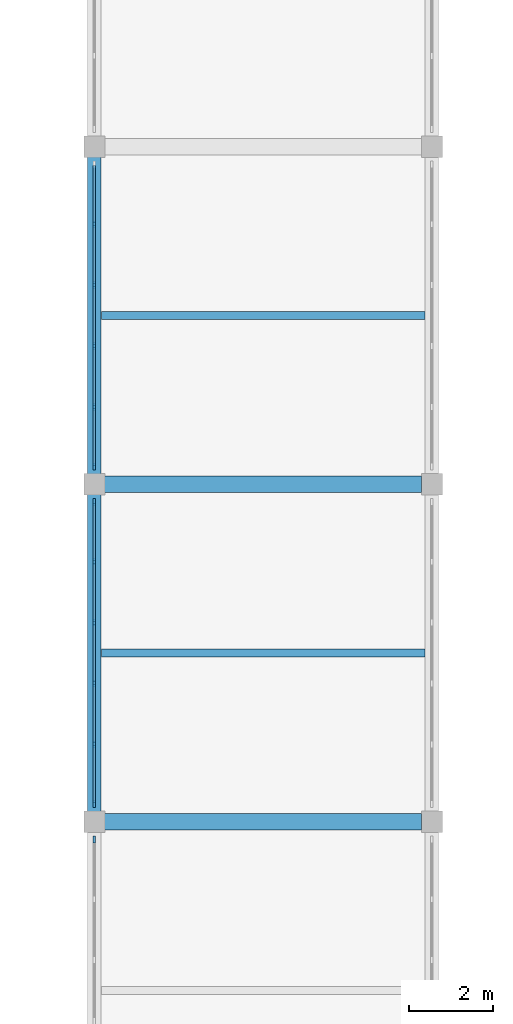
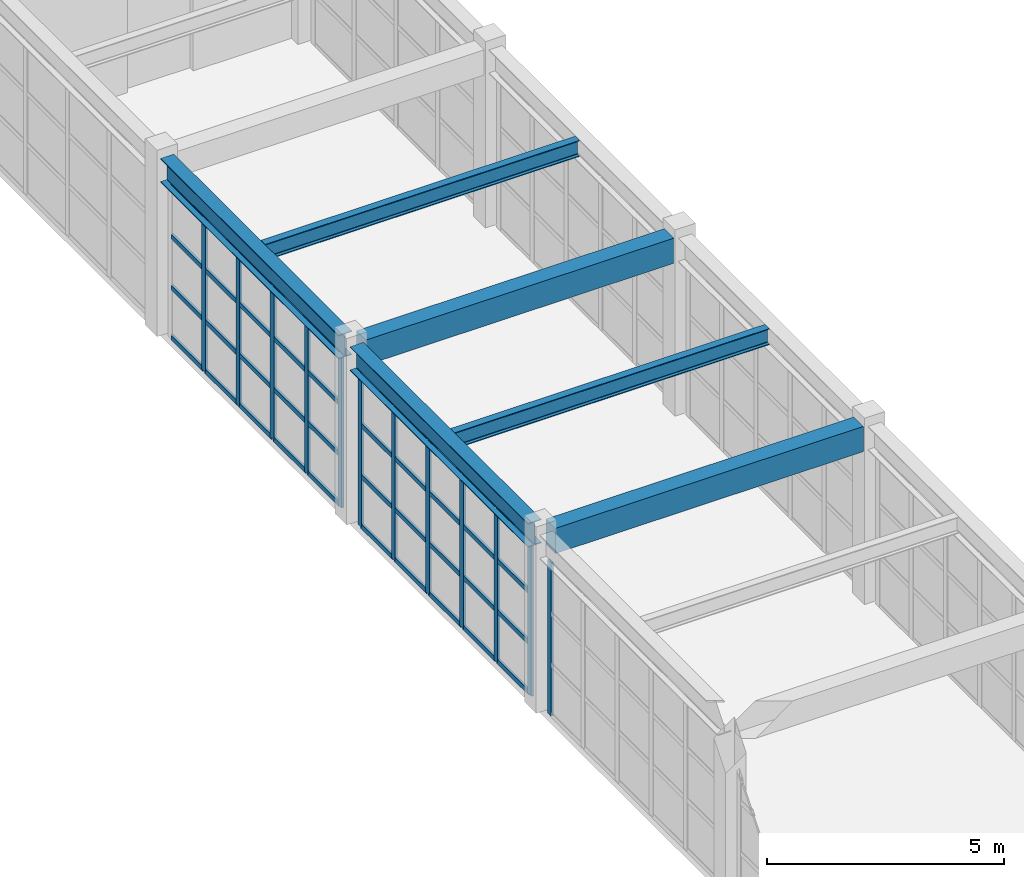
# One storey, part 13 of 59: 52 members, 6 beams, 3 elements without a shape of their own.
"""IFC4 building model written with IfcOpenShell, lengths in metres."""

from ifc_helpers import new_model, si_unit, direction, frame, origin, origin_2d, place, context, subcontext, project, spatial, rectangle, i_section, extrude, material, material_profile, profile_set, type_object, element, aggregate, save


model = new_model("IFC4")

# Units and contexts
model_context = context("Model", 3, precision=1e-05, world=origin(), true_north=direction((0.0, 1.0)))
body_context = subcontext(model_context, "Body", "Model", "MODEL_VIEW")
ifc_project = project(units=[si_unit("LENGTHUNIT", "METRE"), si_unit("AREAUNIT", "SQUARE_METRE"), si_unit("VOLUMEUNIT", "CUBIC_METRE"), si_unit("PLANEANGLEUNIT", "RADIAN"), si_unit("MASSUNIT", "GRAM", prefix="KILO")], contexts=[model_context])

# Site, building, storey
site_placement = place(None, origin())
site = spatial("IfcSite", under=ifc_project, at=site_placement, CompositionType="ELEMENT")
building_placement = place(site_placement, origin())
building = spatial("IfcBuilding", under=site, at=building_placement, Name="Serraluz Foothill Cableway Terminal", CompositionType="ELEMENT")
storey_placement = place(building_placement, frame((0.0, 0.0, 4.800048828125)))
storey = spatial("IfcBuildingStorey", under=building, at=storey_placement, Name="L01", CompositionType="ELEMENT", Elevation=4.800048828125)

# Beams
ifc_material_1 = material(Name="Concrete C28/35 (f'c 28 MPa)", Category="concrete")
ifc_material_profile_1 = material_profile(ifc_material_1, rectangle(XDim=0.39990234375, YDim=0.64990234375, at=origin_2d()), Name="RC 400x650")
ifc_profile_set_1 = profile_set([ifc_material_profile_1], Name="Concrete C28/35 (f'c 28 MPa)")
beam_type_1 = type_object("IfcBeamType", Name="TYP-BM-RC400X650", PredefinedType="BEAM", material=ifc_profile_set_1)
for number, where, z_axis, x_axis, name in (
    (1, (120.24609375, 32.0, 4.23486328125), (1.0, 0.0, 0.0), (0.0, 1.0, 0.0), "Primary Girder BM-X-L01-0194"),
    (2, (120.24609375, 40.0, 4.23486328125), (1.0, 0.0, 0.0), (0.0, 1.0, 0.0), "Primary Girder BM-X-L01-0195"),
):
    element("IfcBeam", number, at=place(storey_placement, frame(where, z_axis=z_axis, x_axis=x_axis)), inside=storey, type_object=beam_type_1, Name=name, PredefinedType="BEAM", context=body_context, shape_type="SweptSolid", body=[
        extrude(rectangle(XDim=0.39990234375, YDim=0.64990234375, at=origin_2d()), origin(), (0.0, 0.0, 1.0), 7.5078125),
    ])
ifc_material_2 = material(Name="Steel ASTM A992 Grade 50", Category="steel")
ifc_material_profile_2 = material_profile(ifc_material_2, i_section(OverallWidth=0.324951171875, OverallDepth=0.615966796875, WebThickness=0.013916015625, FlangeThickness=0.021484375, FilletRadius=0.01806640625, at=origin_2d()), Name="W24X117")
ifc_profile_set_2 = profile_set([ifc_material_profile_2], Name="Steel ASTM A992 Grade 50")
beam_type_2 = type_object("IfcBeamType", Name="TYP-BM-W24X117", PredefinedType="BEAM", material=ifc_profile_set_2)
for number, where, z_axis, x_axis, name in (
    (3, (120.0, 32.24609375, 4.251953125), (0.0, 1.0, 0.0), (-1.0, 0.0, 0.0), "Transverse Girder BM-Y-L01-0277"),
    (4, (120.0, 40.24609375, 4.251953125), (0.0, 1.0, 0.0), (-1.0, 0.0, 0.0), "Transverse Girder BM-Y-L01-0278"),
):
    element("IfcBeam", number, at=place(storey_placement, frame(where, z_axis=z_axis, x_axis=x_axis)), inside=storey, type_object=beam_type_2, Name=name, PredefinedType="BEAM", context=body_context, shape_type="SweptSolid", body=[
        extrude(i_section(OverallWidth=0.324951171875, OverallDepth=0.615966796875, WebThickness=0.013916015625, FlangeThickness=0.021484375, FilletRadius=0.01806640625, at=origin_2d()), origin(), (0.0, 0.0, 1.0), 7.5078125),
    ])

# Curtain wall, member
ifc_material_3 = material(Name="Architectural bronze alloy C28000", Category="aluminium")
curtain_wall_type = type_object("IfcCurtainWallType", Name="TYP-CW-710X420", PredefinedType="NOTDEFINED", material=ifc_material_3)
curtain_wall_1_placement = place(storey_placement, origin())
curtain_wall_1 = element("IfcCurtainWall", 5, at=curtain_wall_1_placement, inside=storey, type_object=curtain_wall_type, Name="Ribbed Glazed Curtain Wall CW-CLW-L01-24", PredefinedType="NOTDEFINED")
ifc_material_profile_3 = material_profile(ifc_material_3, rectangle(XDim=0.06005859375, YDim=0.159912109375, at=origin_2d()), Name="ALU MULLION 60x160")
ifc_profile_set_3 = profile_set([ifc_material_profile_3], Name="Architectural bronze alloy C28000")
member_type_1 = type_object("IfcMemberType", Name="TYP-CW-MUL-60X160", PredefinedType="MULLION", material=ifc_profile_set_3)
member_1_placement = place(storey_placement, frame((120.0, 31.580078125, 0.0), z_axis=(0.0, 0.0, 1.0), x_axis=(-1.0, 0.0, 0.0)))
member_1 = element("IfcMember", 6, at=member_1_placement, type_object=member_type_1, Name="CW-01 mullion 6", PredefinedType="MULLION", context=body_context, shape_type="SweptSolid", body=[
    extrude(rectangle(XDim=0.06005859375, YDim=0.159912109375, at=origin_2d()), origin(), (0.0, 0.0, 1.0), 3.94384765625),
])
aggregate(curtain_wall_1, [member_1])

# Curtain wall, members
curtain_wall_2_placement = place(storey_placement, origin())
curtain_wall_2 = element("IfcCurtainWall", 7, at=curtain_wall_2_placement, inside=storey, type_object=curtain_wall_type, Name="Ribbed Glazed Curtain Wall CW-CLW-L01-32", PredefinedType="NOTDEFINED")
member_2_placement = place(storey_placement, frame((120.0, 32.419921875, 0.0), z_axis=(0.0, 0.0, 1.0), x_axis=(-1.0, 0.0, 0.0)))
member_2 = element("IfcMember", 8, at=member_2_placement, type_object=member_type_1, Name="CW-01 mullion 1", PredefinedType="MULLION", context=body_context, shape_type="SweptSolid", body=[
    extrude(rectangle(XDim=0.06005859375, YDim=0.159912109375, at=origin_2d()), origin(), (0.0, 0.0, 1.0), 3.94384765625),
])
member_3_placement = place(storey_placement, frame((120.0, 33.833984375, 0.0), z_axis=(0.0, 0.0, 1.0), x_axis=(-1.0, 0.0, 0.0)))
member_3 = element("IfcMember", 9, at=member_3_placement, type_object=member_type_1, Name="CW-01 mullion 2", PredefinedType="MULLION", context=body_context, shape_type="SweptSolid", body=[
    extrude(rectangle(XDim=0.06005859375, YDim=0.159912109375, at=origin_2d()), origin(), (0.0, 0.0, 1.0), 3.94384765625),
])
member_4_placement = place(storey_placement, frame((120.0, 35.278076171875, 0.0), z_axis=(0.0, 0.0, 1.0), x_axis=(-1.0, 0.0, 0.0)))
member_4 = element("IfcMember", 10, at=member_4_placement, type_object=member_type_1, Name="CW-01 mullion 3", PredefinedType="MULLION", context=body_context, shape_type="SweptSolid", body=[
    extrude(rectangle(XDim=0.06005859375, YDim=0.159912109375, at=origin_2d()), origin(), (0.0, 0.0, 1.0), 3.94384765625),
])
member_5_placement = place(storey_placement, frame((120.0, 36.721923828125, 0.0), z_axis=(0.0, 0.0, 1.0), x_axis=(-1.0, 0.0, 0.0)))
member_5 = element("IfcMember", 11, at=member_5_placement, type_object=member_type_1, Name="CW-01 mullion 4", PredefinedType="MULLION", context=body_context, shape_type="SweptSolid", body=[
    extrude(rectangle(XDim=0.06005859375, YDim=0.159912109375, at=origin_2d()), origin(), (0.0, 0.0, 1.0), 3.94384765625),
])
member_6_placement = place(storey_placement, frame((120.0, 38.166015625, 0.0), z_axis=(0.0, 0.0, 1.0), x_axis=(-1.0, 0.0, 0.0)))
member_6 = element("IfcMember", 12, at=member_6_placement, type_object=member_type_1, Name="CW-01 mullion 5", PredefinedType="MULLION", context=body_context, shape_type="SweptSolid", body=[
    extrude(rectangle(XDim=0.06005859375, YDim=0.159912109375, at=origin_2d()), origin(), (0.0, 0.0, 1.0), 3.94384765625),
])
member_7_placement = place(storey_placement, frame((120.0, 39.580078125, 0.0), z_axis=(0.0, 0.0, 1.0), x_axis=(-1.0, 0.0, 0.0)))
member_7 = element("IfcMember", 13, at=member_7_placement, type_object=member_type_1, Name="CW-01 mullion 6", PredefinedType="MULLION", context=body_context, shape_type="SweptSolid", body=[
    extrude(rectangle(XDim=0.06005859375, YDim=0.159912109375, at=origin_2d()), origin(), (0.0, 0.0, 1.0), 3.94384765625),
])

curtain_wall_3_placement = place(storey_placement, origin())
curtain_wall_3 = element("IfcCurtainWall", 14, at=curtain_wall_3_placement, inside=storey, type_object=curtain_wall_type, Name="Ribbed Glazed Curtain Wall CW-CLW-L01-40", PredefinedType="NOTDEFINED")
member_8_placement = place(storey_placement, frame((120.0, 40.419921875, 0.0), z_axis=(0.0, 0.0, 1.0), x_axis=(-1.0, 0.0, 0.0)))
member_8 = element("IfcMember", 15, at=member_8_placement, type_object=member_type_1, Name="CW-01 mullion 1", PredefinedType="MULLION", context=body_context, shape_type="SweptSolid", body=[
    extrude(rectangle(XDim=0.06005859375, YDim=0.159912109375, at=origin_2d()), origin(), (0.0, 0.0, 1.0), 3.94384765625),
])
member_9_placement = place(storey_placement, frame((120.0, 41.833984375, 0.0), z_axis=(0.0, 0.0, 1.0), x_axis=(-1.0, 0.0, 0.0)))
member_9 = element("IfcMember", 16, at=member_9_placement, type_object=member_type_1, Name="CW-01 mullion 2", PredefinedType="MULLION", context=body_context, shape_type="SweptSolid", body=[
    extrude(rectangle(XDim=0.06005859375, YDim=0.159912109375, at=origin_2d()), origin(), (0.0, 0.0, 1.0), 3.94384765625),
])
member_10_placement = place(storey_placement, frame((120.0, 43.278076171875, 0.0), z_axis=(0.0, 0.0, 1.0), x_axis=(-1.0, 0.0, 0.0)))
member_10 = element("IfcMember", 17, at=member_10_placement, type_object=member_type_1, Name="CW-01 mullion 3", PredefinedType="MULLION", context=body_context, shape_type="SweptSolid", body=[
    extrude(rectangle(XDim=0.06005859375, YDim=0.159912109375, at=origin_2d()), origin(), (0.0, 0.0, 1.0), 3.94384765625),
])
member_11_placement = place(storey_placement, frame((120.0, 44.721923828125, 0.0), z_axis=(0.0, 0.0, 1.0), x_axis=(-1.0, 0.0, 0.0)))
member_11 = element("IfcMember", 18, at=member_11_placement, type_object=member_type_1, Name="CW-01 mullion 4", PredefinedType="MULLION", context=body_context, shape_type="SweptSolid", body=[
    extrude(rectangle(XDim=0.06005859375, YDim=0.159912109375, at=origin_2d()), origin(), (0.0, 0.0, 1.0), 3.94384765625),
])
member_12_placement = place(storey_placement, frame((120.0, 46.166015625, 0.0), z_axis=(0.0, 0.0, 1.0), x_axis=(-1.0, 0.0, 0.0)))
member_12 = element("IfcMember", 19, at=member_12_placement, type_object=member_type_1, Name="CW-01 mullion 5", PredefinedType="MULLION", context=body_context, shape_type="SweptSolid", body=[
    extrude(rectangle(XDim=0.06005859375, YDim=0.159912109375, at=origin_2d()), origin(), (0.0, 0.0, 1.0), 3.94384765625),
])

# Member
ifc_material_profile_4 = material_profile(ifc_material_3, rectangle(XDim=0.06005859375, YDim=0.1201171875, at=origin_2d()), Name="ALU TRANSOM 60x120")
ifc_profile_set_4 = profile_set([ifc_material_profile_4], Name="Architectural bronze alloy C28000")
member_type_2 = type_object("IfcMemberType", Name="TYP-CW-TRN-60X120", PredefinedType="USERDEFINED", material=ifc_profile_set_4)
member_13_placement = place(storey_placement, frame((120.0, 32.449951171875, 0.030029296875), z_axis=(0.0, 1.0, 0.0), x_axis=(-1.0, 0.0, 0.0)))
member_13 = element("IfcMember", 20, at=member_13_placement, type_object=member_type_2, Name="CW-01 transom 1.1", ObjectType="TRANSOM", PredefinedType="USERDEFINED", context=body_context, shape_type="SweptSolid", body=[
    extrude(rectangle(XDim=0.06005859375, YDim=0.1201171875, at=origin_2d()), origin(), (0.0, 0.0, 1.0), 1.35400390625),
])

member_14_placement = place(storey_placement, frame((120.0, 32.449951171875, 1.314697265625), z_axis=(0.0, 1.0, 0.0), x_axis=(-1.0, 0.0, 0.0)))
member_14 = element("IfcMember", 21, at=member_14_placement, type_object=member_type_2, Name="CW-01 transom 1.2", ObjectType="TRANSOM", PredefinedType="USERDEFINED", context=body_context, shape_type="SweptSolid", body=[
    extrude(rectangle(XDim=0.06005859375, YDim=0.1201171875, at=origin_2d()), origin(), (0.0, 0.0, 1.0), 1.35400390625),
])

member_15_placement = place(storey_placement, frame((120.0, 32.449951171875, 2.629150390625), z_axis=(0.0, 1.0, 0.0), x_axis=(-1.0, 0.0, 0.0)))
member_15 = element("IfcMember", 22, at=member_15_placement, type_object=member_type_2, Name="CW-01 transom 1.3", ObjectType="TRANSOM", PredefinedType="USERDEFINED", context=body_context, shape_type="SweptSolid", body=[
    extrude(rectangle(XDim=0.06005859375, YDim=0.1201171875, at=origin_2d()), origin(), (0.0, 0.0, 1.0), 1.35400390625),
])

member_16_placement = place(storey_placement, frame((120.0, 32.449951171875, 3.9140625), z_axis=(0.0, 1.0, 0.0), x_axis=(-1.0, 0.0, 0.0)))
member_16 = element("IfcMember", 23, at=member_16_placement, type_object=member_type_2, Name="CW-01 transom 1.4", ObjectType="TRANSOM", PredefinedType="USERDEFINED", context=body_context, shape_type="SweptSolid", body=[
    extrude(rectangle(XDim=0.06005859375, YDim=0.1201171875, at=origin_2d()), origin(), (0.0, 0.0, 1.0), 1.35400390625),
])

member_17_placement = place(storey_placement, frame((120.0, 33.864013671875, 0.030029296875), z_axis=(0.0, 1.0, 0.0), x_axis=(-1.0, 0.0, 0.0)))
member_17 = element("IfcMember", 24, at=member_17_placement, type_object=member_type_2, Name="CW-01 transom 2.1", ObjectType="TRANSOM", PredefinedType="USERDEFINED", context=body_context, shape_type="SweptSolid", body=[
    extrude(rectangle(XDim=0.06005859375, YDim=0.1201171875, at=origin_2d()), origin(), (0.0, 0.0, 1.0), 1.384033203125),
])

member_18_placement = place(storey_placement, frame((120.0, 33.864013671875, 1.314697265625), z_axis=(0.0, 1.0, 0.0), x_axis=(-1.0, 0.0, 0.0)))
member_18 = element("IfcMember", 25, at=member_18_placement, type_object=member_type_2, Name="CW-01 transom 2.2", ObjectType="TRANSOM", PredefinedType="USERDEFINED", context=body_context, shape_type="SweptSolid", body=[
    extrude(rectangle(XDim=0.06005859375, YDim=0.1201171875, at=origin_2d()), origin(), (0.0, 0.0, 1.0), 1.384033203125),
])

member_19_placement = place(storey_placement, frame((120.0, 33.864013671875, 2.629150390625), z_axis=(0.0, 1.0, 0.0), x_axis=(-1.0, 0.0, 0.0)))
member_19 = element("IfcMember", 26, at=member_19_placement, type_object=member_type_2, Name="CW-01 transom 2.3", ObjectType="TRANSOM", PredefinedType="USERDEFINED", context=body_context, shape_type="SweptSolid", body=[
    extrude(rectangle(XDim=0.06005859375, YDim=0.1201171875, at=origin_2d()), origin(), (0.0, 0.0, 1.0), 1.384033203125),
])

member_20_placement = place(storey_placement, frame((120.0, 33.864013671875, 3.9140625), z_axis=(0.0, 1.0, 0.0), x_axis=(-1.0, 0.0, 0.0)))
member_20 = element("IfcMember", 27, at=member_20_placement, type_object=member_type_2, Name="CW-01 transom 2.4", ObjectType="TRANSOM", PredefinedType="USERDEFINED", context=body_context, shape_type="SweptSolid", body=[
    extrude(rectangle(XDim=0.06005859375, YDim=0.1201171875, at=origin_2d()), origin(), (0.0, 0.0, 1.0), 1.384033203125),
])

member_21_placement = place(storey_placement, frame((120.0, 35.30810546875, 0.030029296875), z_axis=(0.0, 1.0, 0.0), x_axis=(-1.0, 0.0, 0.0)))
member_21 = element("IfcMember", 28, at=member_21_placement, type_object=member_type_2, Name="CW-01 transom 3.1", ObjectType="TRANSOM", PredefinedType="USERDEFINED", context=body_context, shape_type="SweptSolid", body=[
    extrude(rectangle(XDim=0.06005859375, YDim=0.1201171875, at=origin_2d()), origin(), (0.0, 0.0, 1.0), 1.3837890625),
])

member_22_placement = place(storey_placement, frame((120.0, 35.30810546875, 1.314697265625), z_axis=(0.0, 1.0, 0.0), x_axis=(-1.0, 0.0, 0.0)))
member_22 = element("IfcMember", 29, at=member_22_placement, type_object=member_type_2, Name="CW-01 transom 3.2", ObjectType="TRANSOM", PredefinedType="USERDEFINED", context=body_context, shape_type="SweptSolid", body=[
    extrude(rectangle(XDim=0.06005859375, YDim=0.1201171875, at=origin_2d()), origin(), (0.0, 0.0, 1.0), 1.3837890625),
])

member_23_placement = place(storey_placement, frame((120.0, 35.30810546875, 2.629150390625), z_axis=(0.0, 1.0, 0.0), x_axis=(-1.0, 0.0, 0.0)))
member_23 = element("IfcMember", 30, at=member_23_placement, type_object=member_type_2, Name="CW-01 transom 3.3", ObjectType="TRANSOM", PredefinedType="USERDEFINED", context=body_context, shape_type="SweptSolid", body=[
    extrude(rectangle(XDim=0.06005859375, YDim=0.1201171875, at=origin_2d()), origin(), (0.0, 0.0, 1.0), 1.3837890625),
])

member_24_placement = place(storey_placement, frame((120.0, 35.30810546875, 3.9140625), z_axis=(0.0, 1.0, 0.0), x_axis=(-1.0, 0.0, 0.0)))
member_24 = element("IfcMember", 31, at=member_24_placement, type_object=member_type_2, Name="CW-01 transom 3.4", ObjectType="TRANSOM", PredefinedType="USERDEFINED", context=body_context, shape_type="SweptSolid", body=[
    extrude(rectangle(XDim=0.06005859375, YDim=0.1201171875, at=origin_2d()), origin(), (0.0, 0.0, 1.0), 1.3837890625),
])

member_25_placement = place(storey_placement, frame((120.0, 36.751953125, 0.030029296875), z_axis=(0.0, 1.0, 0.0), x_axis=(-1.0, 0.0, 0.0)))
member_25 = element("IfcMember", 32, at=member_25_placement, type_object=member_type_2, Name="CW-01 transom 4.1", ObjectType="TRANSOM", PredefinedType="USERDEFINED", context=body_context, shape_type="SweptSolid", body=[
    extrude(rectangle(XDim=0.06005859375, YDim=0.1201171875, at=origin_2d()), origin(), (0.0, 0.0, 1.0), 1.384033203125),
])

member_26_placement = place(storey_placement, frame((120.0, 36.751953125, 1.314697265625), z_axis=(0.0, 1.0, 0.0), x_axis=(-1.0, 0.0, 0.0)))
member_26 = element("IfcMember", 33, at=member_26_placement, type_object=member_type_2, Name="CW-01 transom 4.2", ObjectType="TRANSOM", PredefinedType="USERDEFINED", context=body_context, shape_type="SweptSolid", body=[
    extrude(rectangle(XDim=0.06005859375, YDim=0.1201171875, at=origin_2d()), origin(), (0.0, 0.0, 1.0), 1.384033203125),
])

member_27_placement = place(storey_placement, frame((120.0, 36.751953125, 2.629150390625), z_axis=(0.0, 1.0, 0.0), x_axis=(-1.0, 0.0, 0.0)))
member_27 = element("IfcMember", 34, at=member_27_placement, type_object=member_type_2, Name="CW-01 transom 4.3", ObjectType="TRANSOM", PredefinedType="USERDEFINED", context=body_context, shape_type="SweptSolid", body=[
    extrude(rectangle(XDim=0.06005859375, YDim=0.1201171875, at=origin_2d()), origin(), (0.0, 0.0, 1.0), 1.384033203125),
])

member_28_placement = place(storey_placement, frame((120.0, 36.751953125, 3.9140625), z_axis=(0.0, 1.0, 0.0), x_axis=(-1.0, 0.0, 0.0)))
member_28 = element("IfcMember", 35, at=member_28_placement, type_object=member_type_2, Name="CW-01 transom 4.4", ObjectType="TRANSOM", PredefinedType="USERDEFINED", context=body_context, shape_type="SweptSolid", body=[
    extrude(rectangle(XDim=0.06005859375, YDim=0.1201171875, at=origin_2d()), origin(), (0.0, 0.0, 1.0), 1.384033203125),
])

member_29_placement = place(storey_placement, frame((120.0, 38.196044921875, 0.030029296875), z_axis=(0.0, 1.0, 0.0), x_axis=(-1.0, 0.0, 0.0)))
member_29 = element("IfcMember", 36, at=member_29_placement, type_object=member_type_2, Name="CW-01 transom 5.1", ObjectType="TRANSOM", PredefinedType="USERDEFINED", context=body_context, shape_type="SweptSolid", body=[
    extrude(rectangle(XDim=0.06005859375, YDim=0.1201171875, at=origin_2d()), origin(), (0.0, 0.0, 1.0), 1.35400390625),
])

member_30_placement = place(storey_placement, frame((120.0, 38.196044921875, 1.314697265625), z_axis=(0.0, 1.0, 0.0), x_axis=(-1.0, 0.0, 0.0)))
member_30 = element("IfcMember", 37, at=member_30_placement, type_object=member_type_2, Name="CW-01 transom 5.2", ObjectType="TRANSOM", PredefinedType="USERDEFINED", context=body_context, shape_type="SweptSolid", body=[
    extrude(rectangle(XDim=0.06005859375, YDim=0.1201171875, at=origin_2d()), origin(), (0.0, 0.0, 1.0), 1.35400390625),
])

member_31_placement = place(storey_placement, frame((120.0, 38.196044921875, 2.629150390625), z_axis=(0.0, 1.0, 0.0), x_axis=(-1.0, 0.0, 0.0)))
member_31 = element("IfcMember", 38, at=member_31_placement, type_object=member_type_2, Name="CW-01 transom 5.3", ObjectType="TRANSOM", PredefinedType="USERDEFINED", context=body_context, shape_type="SweptSolid", body=[
    extrude(rectangle(XDim=0.06005859375, YDim=0.1201171875, at=origin_2d()), origin(), (0.0, 0.0, 1.0), 1.35400390625),
])

member_32_placement = place(storey_placement, frame((120.0, 38.196044921875, 3.9140625), z_axis=(0.0, 1.0, 0.0), x_axis=(-1.0, 0.0, 0.0)))
member_32 = element("IfcMember", 39, at=member_32_placement, type_object=member_type_2, Name="CW-01 transom 5.4", ObjectType="TRANSOM", PredefinedType="USERDEFINED", context=body_context, shape_type="SweptSolid", body=[
    extrude(rectangle(XDim=0.06005859375, YDim=0.1201171875, at=origin_2d()), origin(), (0.0, 0.0, 1.0), 1.35400390625),
])

aggregate(curtain_wall_2, [member_2, member_3, member_4, member_5, member_6, member_7, member_13, member_14, member_15, member_16, member_17, member_18, member_19, member_20, member_21, member_22, member_23, member_24, member_25, member_26, member_27, member_28, member_29, member_30, member_31, member_32])

member_33_placement = place(storey_placement, frame((120.0, 40.449951171875, 0.030029296875), z_axis=(0.0, 1.0, 0.0), x_axis=(-1.0, 0.0, 0.0)))
member_33 = element("IfcMember", 40, at=member_33_placement, type_object=member_type_2, Name="CW-01 transom 1.1", ObjectType="TRANSOM", PredefinedType="USERDEFINED", context=body_context, shape_type="SweptSolid", body=[
    extrude(rectangle(XDim=0.06005859375, YDim=0.1201171875, at=origin_2d()), origin(), (0.0, 0.0, 1.0), 1.35400390625),
])

member_34_placement = place(storey_placement, frame((120.0, 40.449951171875, 1.314697265625), z_axis=(0.0, 1.0, 0.0), x_axis=(-1.0, 0.0, 0.0)))
member_34 = element("IfcMember", 41, at=member_34_placement, type_object=member_type_2, Name="CW-01 transom 1.2", ObjectType="TRANSOM", PredefinedType="USERDEFINED", context=body_context, shape_type="SweptSolid", body=[
    extrude(rectangle(XDim=0.06005859375, YDim=0.1201171875, at=origin_2d()), origin(), (0.0, 0.0, 1.0), 1.35400390625),
])

member_35_placement = place(storey_placement, frame((120.0, 40.449951171875, 2.629150390625), z_axis=(0.0, 1.0, 0.0), x_axis=(-1.0, 0.0, 0.0)))
member_35 = element("IfcMember", 42, at=member_35_placement, type_object=member_type_2, Name="CW-01 transom 1.3", ObjectType="TRANSOM", PredefinedType="USERDEFINED", context=body_context, shape_type="SweptSolid", body=[
    extrude(rectangle(XDim=0.06005859375, YDim=0.1201171875, at=origin_2d()), origin(), (0.0, 0.0, 1.0), 1.35400390625),
])

member_36_placement = place(storey_placement, frame((120.0, 40.449951171875, 3.9140625), z_axis=(0.0, 1.0, 0.0), x_axis=(-1.0, 0.0, 0.0)))
member_36 = element("IfcMember", 43, at=member_36_placement, type_object=member_type_2, Name="CW-01 transom 1.4", ObjectType="TRANSOM", PredefinedType="USERDEFINED", context=body_context, shape_type="SweptSolid", body=[
    extrude(rectangle(XDim=0.06005859375, YDim=0.1201171875, at=origin_2d()), origin(), (0.0, 0.0, 1.0), 1.35400390625),
])

member_37_placement = place(storey_placement, frame((120.0, 41.864013671875, 0.030029296875), z_axis=(0.0, 1.0, 0.0), x_axis=(-1.0, 0.0, 0.0)))
member_37 = element("IfcMember", 44, at=member_37_placement, type_object=member_type_2, Name="CW-01 transom 2.1", ObjectType="TRANSOM", PredefinedType="USERDEFINED", context=body_context, shape_type="SweptSolid", body=[
    extrude(rectangle(XDim=0.06005859375, YDim=0.1201171875, at=origin_2d()), origin(), (0.0, 0.0, 1.0), 1.384033203125),
])

member_38_placement = place(storey_placement, frame((120.0, 41.864013671875, 1.314697265625), z_axis=(0.0, 1.0, 0.0), x_axis=(-1.0, 0.0, 0.0)))
member_38 = element("IfcMember", 45, at=member_38_placement, type_object=member_type_2, Name="CW-01 transom 2.2", ObjectType="TRANSOM", PredefinedType="USERDEFINED", context=body_context, shape_type="SweptSolid", body=[
    extrude(rectangle(XDim=0.06005859375, YDim=0.1201171875, at=origin_2d()), origin(), (0.0, 0.0, 1.0), 1.384033203125),
])

member_39_placement = place(storey_placement, frame((120.0, 41.864013671875, 2.629150390625), z_axis=(0.0, 1.0, 0.0), x_axis=(-1.0, 0.0, 0.0)))
member_39 = element("IfcMember", 46, at=member_39_placement, type_object=member_type_2, Name="CW-01 transom 2.3", ObjectType="TRANSOM", PredefinedType="USERDEFINED", context=body_context, shape_type="SweptSolid", body=[
    extrude(rectangle(XDim=0.06005859375, YDim=0.1201171875, at=origin_2d()), origin(), (0.0, 0.0, 1.0), 1.384033203125),
])

member_40_placement = place(storey_placement, frame((120.0, 41.864013671875, 3.9140625), z_axis=(0.0, 1.0, 0.0), x_axis=(-1.0, 0.0, 0.0)))
member_40 = element("IfcMember", 47, at=member_40_placement, type_object=member_type_2, Name="CW-01 transom 2.4", ObjectType="TRANSOM", PredefinedType="USERDEFINED", context=body_context, shape_type="SweptSolid", body=[
    extrude(rectangle(XDim=0.06005859375, YDim=0.1201171875, at=origin_2d()), origin(), (0.0, 0.0, 1.0), 1.384033203125),
])

member_41_placement = place(storey_placement, frame((120.0, 43.30810546875, 0.030029296875), z_axis=(0.0, 1.0, 0.0), x_axis=(-1.0, 0.0, 0.0)))
member_41 = element("IfcMember", 48, at=member_41_placement, type_object=member_type_2, Name="CW-01 transom 3.1", ObjectType="TRANSOM", PredefinedType="USERDEFINED", context=body_context, shape_type="SweptSolid", body=[
    extrude(rectangle(XDim=0.06005859375, YDim=0.1201171875, at=origin_2d()), origin(), (0.0, 0.0, 1.0), 1.3837890625),
])

member_42_placement = place(storey_placement, frame((120.0, 43.30810546875, 1.314697265625), z_axis=(0.0, 1.0, 0.0), x_axis=(-1.0, 0.0, 0.0)))
member_42 = element("IfcMember", 49, at=member_42_placement, type_object=member_type_2, Name="CW-01 transom 3.2", ObjectType="TRANSOM", PredefinedType="USERDEFINED", context=body_context, shape_type="SweptSolid", body=[
    extrude(rectangle(XDim=0.06005859375, YDim=0.1201171875, at=origin_2d()), origin(), (0.0, 0.0, 1.0), 1.3837890625),
])

member_43_placement = place(storey_placement, frame((120.0, 43.30810546875, 2.629150390625), z_axis=(0.0, 1.0, 0.0), x_axis=(-1.0, 0.0, 0.0)))
member_43 = element("IfcMember", 50, at=member_43_placement, type_object=member_type_2, Name="CW-01 transom 3.3", ObjectType="TRANSOM", PredefinedType="USERDEFINED", context=body_context, shape_type="SweptSolid", body=[
    extrude(rectangle(XDim=0.06005859375, YDim=0.1201171875, at=origin_2d()), origin(), (0.0, 0.0, 1.0), 1.3837890625),
])

member_44_placement = place(storey_placement, frame((120.0, 43.30810546875, 3.9140625), z_axis=(0.0, 1.0, 0.0), x_axis=(-1.0, 0.0, 0.0)))
member_44 = element("IfcMember", 51, at=member_44_placement, type_object=member_type_2, Name="CW-01 transom 3.4", ObjectType="TRANSOM", PredefinedType="USERDEFINED", context=body_context, shape_type="SweptSolid", body=[
    extrude(rectangle(XDim=0.06005859375, YDim=0.1201171875, at=origin_2d()), origin(), (0.0, 0.0, 1.0), 1.3837890625),
])

member_45_placement = place(storey_placement, frame((120.0, 44.751953125, 0.030029296875), z_axis=(0.0, 1.0, 0.0), x_axis=(-1.0, 0.0, 0.0)))
member_45 = element("IfcMember", 52, at=member_45_placement, type_object=member_type_2, Name="CW-01 transom 4.1", ObjectType="TRANSOM", PredefinedType="USERDEFINED", context=body_context, shape_type="SweptSolid", body=[
    extrude(rectangle(XDim=0.06005859375, YDim=0.1201171875, at=origin_2d()), origin(), (0.0, 0.0, 1.0), 1.384033203125),
])

member_46_placement = place(storey_placement, frame((120.0, 44.751953125, 1.314697265625), z_axis=(0.0, 1.0, 0.0), x_axis=(-1.0, 0.0, 0.0)))
member_46 = element("IfcMember", 53, at=member_46_placement, type_object=member_type_2, Name="CW-01 transom 4.2", ObjectType="TRANSOM", PredefinedType="USERDEFINED", context=body_context, shape_type="SweptSolid", body=[
    extrude(rectangle(XDim=0.06005859375, YDim=0.1201171875, at=origin_2d()), origin(), (0.0, 0.0, 1.0), 1.384033203125),
])

member_47_placement = place(storey_placement, frame((120.0, 44.751953125, 2.629150390625), z_axis=(0.0, 1.0, 0.0), x_axis=(-1.0, 0.0, 0.0)))
member_47 = element("IfcMember", 54, at=member_47_placement, type_object=member_type_2, Name="CW-01 transom 4.3", ObjectType="TRANSOM", PredefinedType="USERDEFINED", context=body_context, shape_type="SweptSolid", body=[
    extrude(rectangle(XDim=0.06005859375, YDim=0.1201171875, at=origin_2d()), origin(), (0.0, 0.0, 1.0), 1.384033203125),
])

member_48_placement = place(storey_placement, frame((120.0, 44.751953125, 3.9140625), z_axis=(0.0, 1.0, 0.0), x_axis=(-1.0, 0.0, 0.0)))
member_48 = element("IfcMember", 55, at=member_48_placement, type_object=member_type_2, Name="CW-01 transom 4.4", ObjectType="TRANSOM", PredefinedType="USERDEFINED", context=body_context, shape_type="SweptSolid", body=[
    extrude(rectangle(XDim=0.06005859375, YDim=0.1201171875, at=origin_2d()), origin(), (0.0, 0.0, 1.0), 1.384033203125),
])

member_49_placement = place(storey_placement, frame((120.0, 46.196044921875, 0.030029296875), z_axis=(0.0, 1.0, 0.0), x_axis=(-1.0, 0.0, 0.0)))
member_49 = element("IfcMember", 56, at=member_49_placement, type_object=member_type_2, Name="CW-01 transom 5.1", ObjectType="TRANSOM", PredefinedType="USERDEFINED", context=body_context, shape_type="SweptSolid", body=[
    extrude(rectangle(XDim=0.06005859375, YDim=0.1201171875, at=origin_2d()), origin(), (0.0, 0.0, 1.0), 1.35400390625),
])

member_50_placement = place(storey_placement, frame((120.0, 46.196044921875, 1.314697265625), z_axis=(0.0, 1.0, 0.0), x_axis=(-1.0, 0.0, 0.0)))
member_50 = element("IfcMember", 57, at=member_50_placement, type_object=member_type_2, Name="CW-01 transom 5.2", ObjectType="TRANSOM", PredefinedType="USERDEFINED", context=body_context, shape_type="SweptSolid", body=[
    extrude(rectangle(XDim=0.06005859375, YDim=0.1201171875, at=origin_2d()), origin(), (0.0, 0.0, 1.0), 1.35400390625),
])

member_51_placement = place(storey_placement, frame((120.0, 46.196044921875, 2.629150390625), z_axis=(0.0, 1.0, 0.0), x_axis=(-1.0, 0.0, 0.0)))
member_51 = element("IfcMember", 58, at=member_51_placement, type_object=member_type_2, Name="CW-01 transom 5.3", ObjectType="TRANSOM", PredefinedType="USERDEFINED", context=body_context, shape_type="SweptSolid", body=[
    extrude(rectangle(XDim=0.06005859375, YDim=0.1201171875, at=origin_2d()), origin(), (0.0, 0.0, 1.0), 1.35400390625),
])

member_52_placement = place(storey_placement, frame((120.0, 46.196044921875, 3.9140625), z_axis=(0.0, 1.0, 0.0), x_axis=(-1.0, 0.0, 0.0)))
member_52 = element("IfcMember", 59, at=member_52_placement, type_object=member_type_2, Name="CW-01 transom 5.4", ObjectType="TRANSOM", PredefinedType="USERDEFINED", context=body_context, shape_type="SweptSolid", body=[
    extrude(rectangle(XDim=0.06005859375, YDim=0.1201171875, at=origin_2d()), origin(), (0.0, 0.0, 1.0), 1.35400390625),
])

aggregate(curtain_wall_3, [member_8, member_9, member_10, member_11, member_12, member_33, member_34, member_35, member_36, member_37, member_38, member_39, member_40, member_41, member_42, member_43, member_44, member_45, member_46, member_47, member_48, member_49, member_50, member_51, member_52])

# Beams
ifc_material_profile_5 = material_profile(ifc_material_2, i_section(OverallWidth=0.180908203125, OverallDepth=0.4169921875, WebThickness=0.010986328125, FlangeThickness=0.018310546875, FilletRadius=0.013916015625, at=origin_2d()), Name="W16X57")
ifc_profile_set_5 = profile_set([ifc_material_profile_5], Name="Steel ASTM A992 Grade 50")
beam_type_3 = type_object("IfcBeamType", Name="TYP-JS-W16X57", PredefinedType="JOIST", material=ifc_profile_set_5)
for number, where, z_axis, x_axis, name in (
    (60, (120.16748046875, 36.0, 4.3515625), (1.0, 0.0, 0.0), (0.0, 1.0, 0.0), "Secondary Floor Joist JS-L01-0106"),
    (61, (120.16748046875, 44.0, 4.3515625), (1.0, 0.0, 0.0), (0.0, 1.0, 0.0), "Secondary Floor Joist JS-L01-0107"),
):
    element("IfcBeam", number, at=place(storey_placement, frame(where, z_axis=z_axis, x_axis=x_axis)), inside=storey, type_object=beam_type_3, Name=name, PredefinedType="JOIST", context=body_context, shape_type="SweptSolid", body=[
        extrude(i_section(OverallWidth=0.180908203125, OverallDepth=0.4169921875, WebThickness=0.010986328125, FlangeThickness=0.018310546875, FilletRadius=0.013916015625, at=origin_2d()), origin(), (0.0, 0.0, 1.0), 7.6650390625),
    ])

save(model, "model.ifc")
